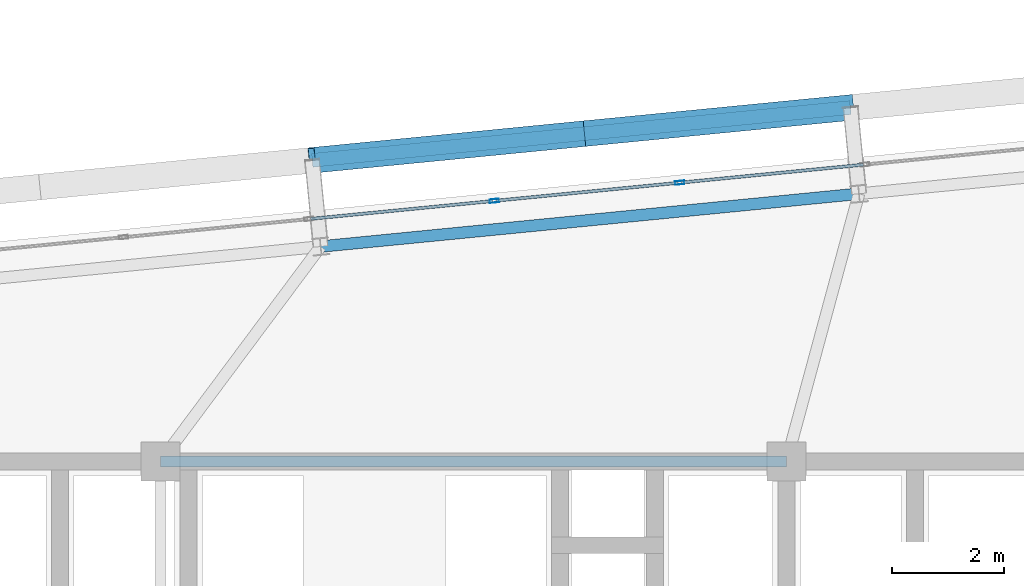
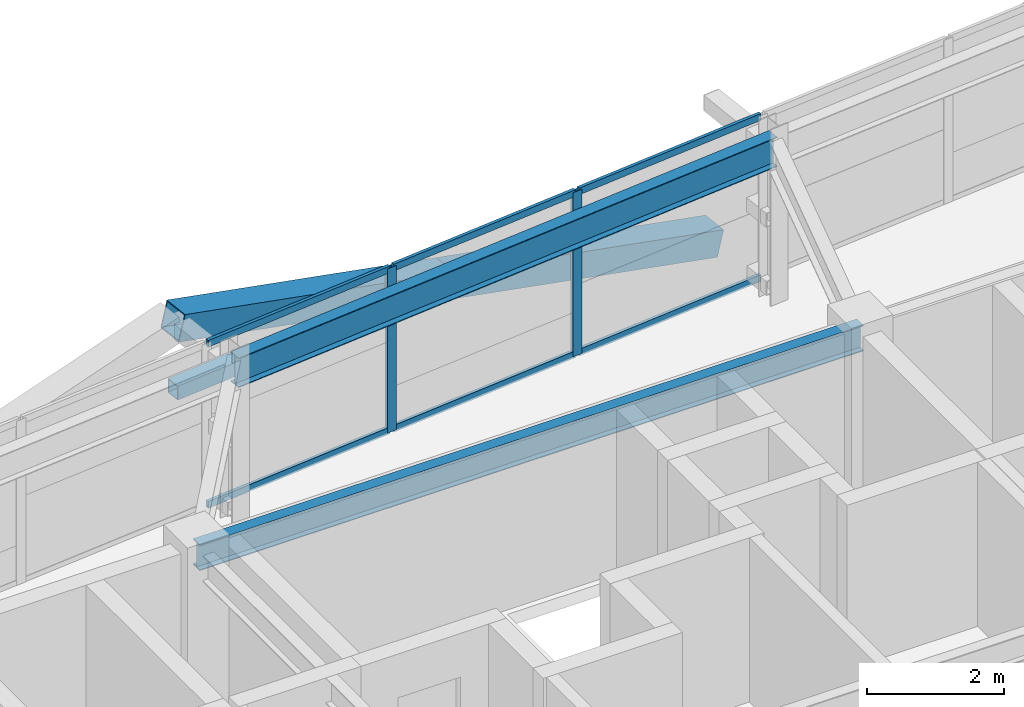
# One storey, part 30 of 52: 11 members, 2 beams, 1 element without a shape of its own.
"""IFC4 building model written with IfcOpenShell, lengths in metres."""

from ifc_helpers import new_model, si_unit, direction, frame, origin, origin_2d, place, context, subcontext, project, spatial, hollow_rectangle, i_section, extrude, source, transform, mapped, material, layer, layer_set, material_profile, profile_set, type_object, element, aggregate, save


model = new_model("IFC4")

# Units and contexts
model_context = context("Model", 3, precision=1e-05, world=origin(), true_north=direction((0.0, 1.0)))
body_context = subcontext(model_context, "Body", "Model", "MODEL_VIEW")
ifc_project = project(units=[si_unit("LENGTHUNIT", "METRE"), si_unit("AREAUNIT", "SQUARE_METRE"), si_unit("VOLUMEUNIT", "CUBIC_METRE"), si_unit("PLANEANGLEUNIT", "RADIAN"), si_unit("MASSUNIT", "GRAM", prefix="KILO")], contexts=[model_context])

# Site, building, storey
site_placement = place(None, origin())
site = spatial("IfcSite", under=ifc_project, at=site_placement, CompositionType="ELEMENT")
building_placement = place(site_placement, origin())
building = spatial("IfcBuilding", under=site, at=building_placement, Name="Taldren Reach Tower", CompositionType="ELEMENT")
storey_placement = place(building_placement, frame((0.0, 0.0, 77.699951171875)))
storey = spatial("IfcBuildingStorey", under=building, at=storey_placement, Name="L23", CompositionType="ELEMENT", Elevation=77.699951171875)

# Beams
ifc_material_1 = material(Name="Steel Gr 350 (350PLUS)", Category="steel")
ifc_material_profile_1 = material_profile(ifc_material_1, i_section(OverallWidth=0.19091796875, OverallDepth=0.4599609375, WebThickness=0.010009765625, FlangeThickness=0.01611328125, at=origin_2d()), Name="460UB82.1")
ifc_profile_set_1 = profile_set([ifc_material_profile_1], Name="Steel Gr 350 (350PLUS)")
beam_type_1 = type_object("IfcBeamType", Name="BM-UB460A", PredefinedType="BEAM", material=ifc_profile_set_1)
shared_shape_1 = source(origin(), body_context, "Body", "SweptSolid", [
    extrude(i_section(OverallWidth=0.19091796875, OverallDepth=0.4599609375, WebThickness=0.010009765625, FlangeThickness=0.01611328125, at=origin_2d()), origin(), (0.0, 0.0, 1.0), 11.199951171875),
])
beam_1_placement = place(storey_placement, frame((28.0, 32.0, 2.699951171875), z_axis=(1.0, 0.0, 0.0), x_axis=(0.0, 1.0, 0.0)))
element("IfcBeam", 1, at=beam_1_placement, inside=storey, type_object=beam_type_1, Name="Core-spine girder L23-SP05", PredefinedType="BEAM", context=body_context, shape_type="MappedRepresentation", body=[
    mapped(shared_shape_1, transform((0.0, 0.0, 0.0), scale=1.0)),
])
ifc_material_profile_2 = material_profile(ifc_material_1, i_section(OverallWidth=0.208984375, OverallDepth=0.528076171875, WebThickness=0.009521484375, FlangeThickness=0.01318359375, at=origin_2d()), Name="530UB82.0")
ifc_profile_set_2 = profile_set([ifc_material_profile_2], Name="Steel Gr 350 (350PLUS)")
beam_type_2 = type_object("IfcBeamType", Name="SP-UB530B", PredefinedType="SPANDREL", material=ifc_profile_set_2)
shared_shape_2 = source(origin(), body_context, "Body", "SweptSolid", [
    extrude(i_section(OverallWidth=0.208984375, OverallDepth=0.528076171875, WebThickness=0.009521484375, FlangeThickness=0.01318359375, at=origin_2d()), origin(), (0.0, 0.0, 1.0), 9.679931640625),
])
beam_2_placement = place(storey_placement, frame((40.498291015625, 36.790771484375, 2.666015625), z_axis=(-0.995227612658, -0.097580730699, 0.0), x_axis=(0.097580730699, -0.995227612658, 0.0)))
element("IfcBeam", 2, at=beam_2_placement, inside=storey, type_object=beam_type_2, Name="Perimeter spandrel B2 N4-N3 L23", PredefinedType="SPANDREL", context=body_context, shape_type="MappedRepresentation", body=[
    mapped(shared_shape_2, transform((0.0, 0.0, 0.0), scale=1.0)),
])

# Members
ifc_material_2 = material(Name="Steel Gr 450 (C450L0)", Category="steel")
ifc_material_profile_3 = material_profile(ifc_material_2, hollow_rectangle(XDim=0.4599609375, YDim=0.4599609375, WallThickness=0.01611328125, at=origin_2d()), Name="460x460x16.0SHS")
ifc_profile_set_3 = profile_set([ifc_material_profile_3], Name="Steel Gr 450 (C450L0)")
member_type_1 = type_object("IfcMemberType", Name="MB-EXO457", PredefinedType="BRACE", material=ifc_profile_set_3)
shared_shape_3 = source(origin(), body_context, "Body", "SweptSolid", [
    extrude(hollow_rectangle(XDim=0.4599609375, YDim=0.4599609375, WallThickness=0.01611328125, at=origin_2d()), origin(), (0.0, 0.0, 1.0), 4.990234375),
])
for number, where, z_axis, x_axis, name in (
    (3, (40.346923828125, 38.333251953125, 0.219970703125), (-0.965275526283, -0.094619506732, 0.243496010862), (0.097555749586, -0.995230061706, 0.0), "Exoskeleton Diagrid Brace B2-N3 L23"),
    (4, (35.530029296875, 37.861083984375, 1.43505859375), (-0.965271056716, -0.094667992638, 0.243494883389), (0.097605711627, -0.995225162995, 0.0), "Exoskeleton Diagrid Brace B2-N3 L23"),
):
    element("IfcMember", number, at=place(storey_placement, frame(where, z_axis=z_axis, x_axis=x_axis)), inside=storey, type_object=member_type_1, Name=name, PredefinedType="BRACE", context=body_context, shape_type="MappedRepresentation", body=[
        mapped(shared_shape_3, transform((0.0, 0.0, 0.0), scale=1.0)),
    ])
ifc_material_3 = material(Name="Steel Gr 350 (C350L0)", Category="steel")
ifc_material_profile_4 = material_profile(ifc_material_3, hollow_rectangle(XDim=0.25, YDim=0.25, WallThickness=0.010009765625, at=origin_2d()), Name="250x250x10.0SHS")
ifc_profile_set_4 = profile_set([ifc_material_profile_4], Name="Steel Gr 350 (C350L0)")
member_type_2 = type_object("IfcMemberType", Name="MB-POST250", PredefinedType="POST", material=ifc_profile_set_4)
shared_shape_4 = source(origin(), body_context, "Body", "SweptSolid", [
    extrude(hollow_rectangle(XDim=0.25, YDim=0.25, WallThickness=0.010009765625, at=origin_2d()), origin(), (0.0, 0.0, 1.0), 9.679931640625),
])
member_1_placement = place(storey_placement, frame((30.713134765625, 37.388671875, 1.43505859375), z_axis=(0.995227612658, 0.097580730699, 0.0), x_axis=(-0.097580730699, 0.995227612658, 0.0)))
element("IfcMember", 5, at=member_1_placement, inside=storey, type_object=member_type_2, Name="Exoskeleton mid-height ring chord B2-N3 L23", PredefinedType="POST", context=body_context, shape_type="MappedRepresentation", body=[
    mapped(shared_shape_4, transform((0.0, 0.0, 0.0), scale=1.0)),
])

# Curtain wall, members
ifc_material_4 = material(Name="Aluminium and Low-E Glass Unitised System", Category="aluminium")
ifc_layer = layer(ifc_material_4, 0.159912109375)
ifc_layer_set = layer_set([ifc_layer], Name="Aluminium and Low-E Glass Unitised System")
curtain_wall_type = type_object("IfcCurtainWallType", Name="CW-SYS-3", PredefinedType="NOTDEFINED", material=ifc_layer_set)
curtain_wall_placement = place(storey_placement, origin())
curtain_wall = element("IfcCurtainWall", 6, at=curtain_wall_placement, inside=storey, type_object=curtain_wall_type, Name="Unitised curtain wall CW-L23-N", PredefinedType="NOTDEFINED")
ifc_material_5 = material(Name="Anodised Aluminium 6063-T6", Category="aluminium")
ifc_material_profile_5 = material_profile(ifc_material_5, hollow_rectangle(XDim=0.06494140625, YDim=0.1650390625, WallThickness=0.00390625, at=origin_2d()), Name="ALU-165x65x4RHS")
ifc_profile_set_5 = profile_set([ifc_material_profile_5], Name="Anodised Aluminium 6063-T6")
member_type_3 = type_object("IfcMemberType", Name="CW-MUL-165", PredefinedType="MULLION", material=ifc_profile_set_5)
shared_shape_5 = source(origin(), body_context, "Body", "SweptSolid", [
    extrude(hollow_rectangle(XDim=0.06494140625, YDim=0.1650390625, WallThickness=0.00390625, at=origin_2d()), origin(), (0.0, 0.0, 1.0), 2.929931640625),
])
member_2_placement = place(storey_placement, frame((37.290283203125, 36.988525390625, 0.0), z_axis=(0.0, 0.0, 1.0), x_axis=(0.097582999046, -0.995227390247, 0.0)))
member_2 = element("IfcMember", 7, at=member_2_placement, type_object=member_type_3, Name="CW-3 mullion 8", PredefinedType="MULLION", context=body_context, shape_type="MappedRepresentation", body=[
    mapped(shared_shape_5, transform((0.0, 0.0, 0.0), scale=1.0)),
])
member_3_placement = place(storey_placement, frame((33.972900390625, 36.663330078125, 0.0), z_axis=(0.0, 0.0, 1.0), x_axis=(0.097582999046, -0.995227390247, 0.0)))
member_3 = element("IfcMember", 8, at=member_3_placement, type_object=member_type_3, Name="CW-3 mullion 9", PredefinedType="MULLION", context=body_context, shape_type="MappedRepresentation", body=[
    mapped(shared_shape_5, transform((0.0, 0.0, 0.0), scale=1.0)),
])
ifc_material_profile_6 = material_profile(ifc_material_5, hollow_rectangle(XDim=0.054931640625, YDim=0.1201171875, WallThickness=0.0029296875, at=origin_2d()), Name="ALU-120x55x3RHS")
ifc_profile_set_6 = profile_set([ifc_material_profile_6], Name="Anodised Aluminium 6063-T6")
member_type_4 = type_object("IfcMemberType", Name="CW-TRN-135", PredefinedType="USERDEFINED", material=ifc_profile_set_6)
shared_shape_6 = source(origin(), body_context, "Body", "SweptSolid", [
    extrude(hollow_rectangle(XDim=0.054931640625, YDim=0.1201171875, WallThickness=0.0029296875, at=origin_2d()), origin(), (0.0, 0.0, 1.0), 3.268310546875),
])
member_4_placement = place(storey_placement, frame((37.2578125, 36.9853515625, 0.027587890625), z_axis=(-0.99522980512, -0.097558367146, 0.0), x_axis=(0.097558367146, -0.99522980512, 0.0)))
member_4 = element("IfcMember", 9, at=member_4_placement, type_object=member_type_4, Name="CW-3 transom 8.1", ObjectType="TRANSOM", PredefinedType="USERDEFINED", context=body_context, shape_type="MappedRepresentation", body=[
    mapped(shared_shape_6, transform((0.0, 0.0, 0.0), scale=1.0)),
])
member_5_placement = place(storey_placement, frame((37.2578125, 36.9853515625, 2.902587890625), z_axis=(-0.99522980512, -0.097558367146, 0.0), x_axis=(0.097558367146, -0.99522980512, 0.0)))
member_5 = element("IfcMember", 10, at=member_5_placement, type_object=member_type_4, Name="CW-3 transom 8.2", ObjectType="TRANSOM", PredefinedType="USERDEFINED", context=body_context, shape_type="MappedRepresentation", body=[
    mapped(shared_shape_6, transform((0.0, 0.0, 0.0), scale=1.0)),
])
member_6_placement = place(storey_placement, frame((33.9404296875, 36.66015625, 0.027587890625), z_axis=(-0.99522980512, -0.097558367146, 0.0), x_axis=(0.097558367146, -0.99522980512, 0.0)))
member_6 = element("IfcMember", 11, at=member_6_placement, type_object=member_type_4, Name="CW-3 transom 9.1", ObjectType="TRANSOM", PredefinedType="USERDEFINED", context=body_context, shape_type="MappedRepresentation", body=[
    mapped(shared_shape_6, transform((0.0, 0.0, 0.0), scale=1.0)),
])
member_7_placement = place(storey_placement, frame((33.9404296875, 36.66015625, 2.902587890625), z_axis=(-0.99522980512, -0.097558367146, 0.0), x_axis=(0.097558367146, -0.99522980512, 0.0)))
member_7 = element("IfcMember", 12, at=member_7_placement, type_object=member_type_4, Name="CW-3 transom 9.2", ObjectType="TRANSOM", PredefinedType="USERDEFINED", context=body_context, shape_type="MappedRepresentation", body=[
    mapped(shared_shape_6, transform((0.0, 0.0, 0.0), scale=1.0)),
])
shared_shape_7 = source(origin(), body_context, "Body", "SweptSolid", [
    extrude(hollow_rectangle(XDim=0.054931640625, YDim=0.1201171875, WallThickness=0.0029296875, at=origin_2d()), origin(), (0.0, 0.0, 1.0), 3.2685546875),
])
member_8_placement = place(storey_placement, frame((40.575439453125, 37.310791015625, 0.027587890625), z_axis=(-0.995223261527, -0.09762509778, 0.0), x_axis=(0.09762509778, -0.995223261527, 0.0)))
member_8 = element("IfcMember", 13, at=member_8_placement, type_object=member_type_4, Name="CW-3 transom 7.1", ObjectType="TRANSOM", PredefinedType="USERDEFINED", context=body_context, shape_type="MappedRepresentation", body=[
    mapped(shared_shape_7, transform((0.0, 0.0, 0.0), scale=1.0)),
])
member_9_placement = place(storey_placement, frame((40.575439453125, 37.310791015625, 2.902587890625), z_axis=(-0.995223261527, -0.09762509778, 0.0), x_axis=(0.09762509778, -0.995223261527, 0.0)))
member_9 = element("IfcMember", 14, at=member_9_placement, type_object=member_type_4, Name="CW-3 transom 7.2", ObjectType="TRANSOM", PredefinedType="USERDEFINED", context=body_context, shape_type="MappedRepresentation", body=[
    mapped(shared_shape_7, transform((0.0, 0.0, 0.0), scale=1.0)),
])
aggregate(curtain_wall, [member_2, member_3, member_8, member_9, member_4, member_5, member_6, member_7])

save(model, "model.ifc")
